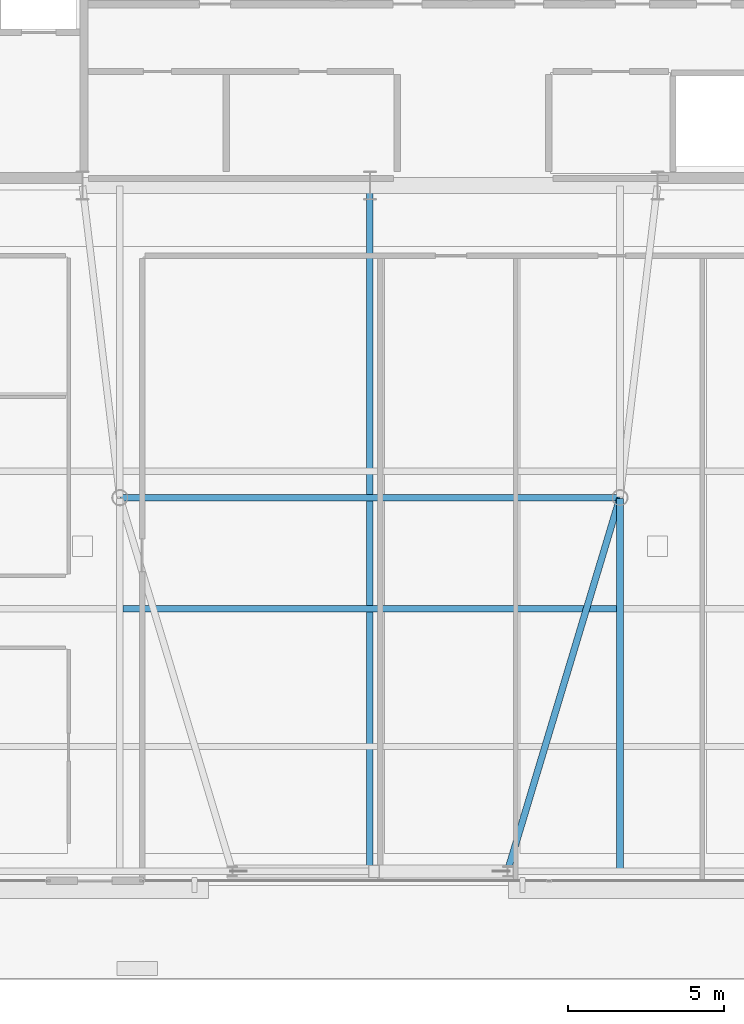
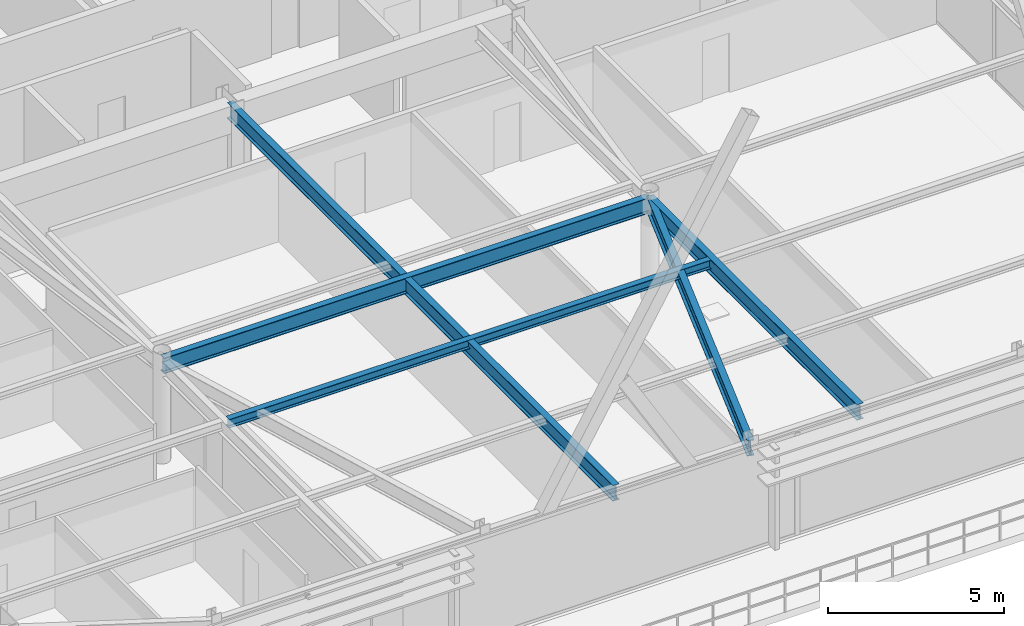
# One storey, part 8 of 25: 5 beams.
"""IFC4 building model written with IfcOpenShell, lengths in metres."""

import ifcopenshell
import ifcopenshell.guid

model = None  # the IFC model being written
_history = None  # IfcOwnerHistory: only IFC2X3 demands one
_inside = {}  # id of a spatial element -> (the spatial element, [elements in it])
_under = {}  # id of a project, library or spatial element -> (it, [spatial elements below it])
_declared = {}  # id of a project -> (the project, [libraries it declares])
_typed = {}  # id of a type object -> (the type object, [elements of that type])
_made_of = {}  # id of a material, layer set ... -> (it, [elements and type objects made of it])


def new_model(schema):
    """Start an empty IFC model of exactly this schema.

    Asked for "IFC4X3", IfcOpenShell would pick the latest addendum, in which some entities
    have other attributes; the version numbers below select the first issue.
    IFC2X3 requires an IfcOwnerHistory on every rooted entity: one is made here for all.
    """
    global model, _history
    if schema == "IFC4X3":
        model = ifcopenshell.file(schema_version=(4, 3, 0, 0))
    else:
        model = ifcopenshell.file(schema=schema)
    _inside.clear()
    _under.clear()
    _declared.clear()
    _typed.clear()
    _made_of.clear()
    _history = None
    if model.schema == "IFC2X3":
        org = make("IfcOrganization", Name="unknown")
        user = make(
            "IfcPersonAndOrganization",
            ThePerson=make("IfcPerson", FamilyName="unknown"),
            TheOrganization=org,
        )
        app = make(
            "IfcApplication",
            ApplicationDeveloper=org,
            Version="unknown",
            ApplicationFullName="unknown",
            ApplicationIdentifier="unknown",
        )
        _history = make(
            "IfcOwnerHistory",
            OwningUser=user,
            OwningApplication=app,
            ChangeAction="ADDED",
            CreationDate=0,
        )
    return model


def make(cls, **values):
    """One entity of the class cls with the attributes given. An attribute that is None is left unset."""
    return model.create_entity(
        cls, **{name: value for name, value in values.items() if value is not None}
    )


def rooted(cls, **values):
    """An entity with a GlobalId (a new one), such as an element, a storey or a relation."""
    return make(cls, GlobalId=ifcopenshell.guid.new(), OwnerHistory=_history, **values)


def si_unit(unit_type, name, prefix=None):
    """IfcSIUnit, for example si_unit("LENGTHUNIT", "METRE", prefix="MILLI")."""
    return make("IfcSIUnit", UnitType=unit_type, Prefix=prefix, Name=name)


def assignment(units):
    """IfcUnitAssignment: the units of a project."""
    return None if units is None else make("IfcUnitAssignment", Units=units)


def point(xyz):
    """IfcCartesianPoint."""
    return None if xyz is None else make("IfcCartesianPoint", Coordinates=xyz)


def direction(xyz):
    """IfcDirection."""
    return None if xyz is None else make("IfcDirection", DirectionRatios=xyz)


def frame(location, z_axis=None, x_axis=None):
    """IfcAxis2Placement3D, a coordinate frame: its origin and axes. An axis left out is left unset."""
    return make(
        "IfcAxis2Placement3D",
        Location=point(location),
        Axis=direction(z_axis),
        RefDirection=direction(x_axis),
    )


def frame_2d(location, x_axis=None):
    """IfcAxis2Placement2D, a coordinate frame in the plane: its origin and x axis."""
    return make(
        "IfcAxis2Placement2D", Location=point(location), RefDirection=direction(x_axis)
    )


def origin():
    """The frame at (0, 0, 0) with its axes left unset."""
    return frame((0.0, 0.0, 0.0))


def origin_2d():
    """The frame at (0, 0) in the plane with its x axis left unset."""
    return frame_2d((0.0, 0.0))


def place(relative_to, where):
    """IfcLocalPlacement: puts the frame where relative to a parent placement (None: the world)."""
    return make(
        "IfcLocalPlacement", PlacementRelTo=relative_to, RelativePlacement=where
    )


def context(
    kind, dimensions, precision=None, world=None, true_north=None, identifier=None
):
    """IfcGeometricRepresentationContext, for example the 3D "Model" context."""
    return make(
        "IfcGeometricRepresentationContext",
        ContextIdentifier=identifier,
        ContextType=kind,
        CoordinateSpaceDimension=dimensions,
        Precision=precision,
        WorldCoordinateSystem=world,
        TrueNorth=true_north,
    )


def subcontext(parent, identifier, kind, view, scale=None):
    """IfcGeometricRepresentationSubContext, for example "Body" below "Model"."""
    return make(
        "IfcGeometricRepresentationSubContext",
        ContextIdentifier=identifier,
        ContextType=kind,
        ParentContext=parent,
        TargetScale=scale,
        TargetView=view,
    )


def project(units=None, contexts=None):
    """IfcProject with its units and contexts."""
    return rooted(
        "IfcProject",
        Name="project",
        RepresentationContexts=contexts,
        UnitsInContext=assignment(units),
    )


def spatial(cls, under=None, at=None, **own):
    """A site, building, storey or space (cls), placed at a placement, below another one or the project."""
    s = rooted(cls, ObjectPlacement=at, **own)
    if under is not None:
        _under.setdefault(under.id(), (under, []))[1].append(s)
    return s


def profile(cls, at=None, kind="AREA", **sizes):
    """A parametric profile (cls). Its sizes go by their IFC names, for example OverallWidth=200.0."""
    return make(cls, ProfileType=kind, Position=at, **sizes)


def i_section(**sizes):
    """IfcIShapeProfileDef."""
    return profile("IfcIShapeProfileDef", **sizes)


def extrude(swept, where, along, depth):
    """IfcExtrudedAreaSolid: the profile swept, set in the frame where, extruded along a direction by depth."""
    return make(
        "IfcExtrudedAreaSolid",
        SweptArea=swept,
        Position=where,
        ExtrudedDirection=direction(along),
        Depth=depth,
    )


def shape(context_of_items, identifier, shape_type, items):
    """IfcShapeRepresentation: the items that make up one representation, for example the "Body"."""
    return make(
        "IfcShapeRepresentation",
        ContextOfItems=context_of_items,
        RepresentationIdentifier=identifier,
        RepresentationType=shape_type,
        Items=items,
    )


def source(mapping_origin, context_of_items, identifier, shape_type, items):
    """IfcRepresentationMap: a shape defined once, which mapped items show again and again."""
    return make(
        "IfcRepresentationMap",
        MappingOrigin=mapping_origin,
        MappedRepresentation=shape(context_of_items, identifier, shape_type, items),
    )


def transform(
    local_origin,
    x_axis=None,
    y_axis=None,
    z_axis=None,
    scale=None,
    scale2=None,
    scale3=None,
    uniform=True,
):
    """IfcCartesianTransformationOperator3D, or its non-uniform kind. x_axis, y_axis, z_axis: its Axis1, 2, 3."""
    if uniform:
        return make(
            "IfcCartesianTransformationOperator3D",
            Axis1=direction(x_axis),
            Axis2=direction(y_axis),
            LocalOrigin=point(local_origin),
            Scale=scale,
            Axis3=direction(z_axis),
        )
    return make(
        "IfcCartesianTransformationOperator3DnonUniform",
        Axis1=direction(x_axis),
        Axis2=direction(y_axis),
        LocalOrigin=point(local_origin),
        Scale=scale,
        Axis3=direction(z_axis),
        Scale2=scale2,
        Scale3=scale3,
    )


def mapped(mapping_source, mapping_target):
    """IfcMappedItem: shows the shape of a source again, moved by a transform."""
    return make(
        "IfcMappedItem", MappingSource=mapping_source, MappingTarget=mapping_target
    )


def material(Name=None, Category=None):
    """IfcMaterial."""
    return make("IfcMaterial", Name=Name, Category=Category)


def material_profile(
    of_material, cross_section, Name=None, Category=None, Priority=None
):
    """IfcMaterialProfile: a cross section and its material."""
    return make(
        "IfcMaterialProfile",
        Name=Name,
        Material=of_material,
        Profile=cross_section,
        Priority=Priority,
        Category=Category,
    )


def profile_set(profiles, Name=None, composite=None):
    """IfcMaterialProfileSet."""
    return make(
        "IfcMaterialProfileSet",
        Name=Name,
        MaterialProfiles=profiles,
        CompositeProfile=composite,
    )


def made_of(thing, what):
    """Note that an element or type object is made of a material, layer set ...; save() writes the relation."""
    if what is not None:
        _made_of.setdefault(what.id(), (what, []))[1].append(thing)
    return thing


def type_object(cls, material=None, **own):
    """A type object (cls), such as IfcWallType, which elements share."""
    return made_of(rooted(cls, **own), material)


def type_shapes(of_type, sources):
    """Give a type object the sources (RepresentationMaps) that its elements show as mapped items."""
    of_type.RepresentationMaps = sources


def element(
    cls,
    number,
    at=None,
    inside=None,
    cuts=None,
    type_object=None,
    material=None,
    context=None,
    identifier="Body",
    shape_type=None,
    held_by="IfcProductDefinitionShape",
    body=None,
    shapes=None,
    **own,
):
    """One element of the class cls, such as IfcWall. Its Tag is "e" and its number.

    at: its placement. inside: the storey or other place that contains it. cuts: it is an
    opening in that element (IfcRelVoidsElement). A single representation is given by context,
    identifier, shape_type and body (its items); several are given by shapes. held_by: the class
    of the entity that holds the representations. save() writes the other relations.
    """
    e = rooted(cls, Tag="e%d" % number, ObjectPlacement=at, **own)
    if body is not None:
        shapes = [shape(context, identifier, shape_type, body)]
    if shapes is not None:
        e.Representation = make(held_by, Representations=shapes)
    if inside is not None:
        _inside.setdefault(inside.id(), (inside, []))[1].append(e)
    if cuts is not None:
        rooted(
            "IfcRelVoidsElement", RelatingBuildingElement=cuts, RelatedOpeningElement=e
        )
    if type_object is not None:
        _typed.setdefault(type_object.id(), (type_object, []))[1].append(e)
    return made_of(e, material)


def aggregate(whole, parts):
    """IfcRelAggregates: a whole, such as a stair, and the parts it consists of."""
    return rooted("IfcRelAggregates", RelatingObject=whole, RelatedObjects=parts)


def save(model, path):
    """Write the relations noted so far, then the file.

    IfcRelAggregates (storeys below a building ...), IfcRelContainedInSpatialStructure (elements
    in a storey), IfcRelDefinesByType, IfcRelAssociatesMaterial and IfcRelDeclares: one each for
    every whole, place, type object, material and project.
    """
    for whole, parts in _under.values():
        aggregate(whole, parts)
    for where, things in _inside.values():
        rooted(
            "IfcRelContainedInSpatialStructure",
            RelatedElements=things,
            RelatingStructure=where,
        )
    for kind, things in _typed.values():
        rooted("IfcRelDefinesByType", RelatedObjects=things, RelatingType=kind)
    for what, things in _made_of.values():
        rooted("IfcRelAssociatesMaterial", RelatedObjects=things, RelatingMaterial=what)
    for by, libraries in _declared.values():
        rooted("IfcRelDeclares", RelatingContext=by, RelatedDefinitions=libraries)
    model.write(path)


model = new_model("IFC4")

# Units and contexts
model_context = context("Model", 3, precision=1e-05, world=origin(), true_north=direction((0.0, 1.0)))
body_context = subcontext(model_context, "Body", "Model", "MODEL_VIEW")
ifc_project = project(units=[si_unit("LENGTHUNIT", "METRE"), si_unit("AREAUNIT", "SQUARE_METRE"), si_unit("VOLUMEUNIT", "CUBIC_METRE"), si_unit("PLANEANGLEUNIT", "RADIAN"), si_unit("MASSUNIT", "GRAM", prefix="KILO")], contexts=[model_context])

# Site, building, storey
site_placement = place(None, origin())
site = spatial("IfcSite", under=ifc_project, at=site_placement, CompositionType="ELEMENT")
building_placement = place(site_placement, origin())
building = spatial("IfcBuilding", under=site, at=building_placement, Name="Varnel Quay Broadcast Tower", CompositionType="ELEMENT")
storey_placement = place(building_placement, frame((0.0, 0.0, 258.39990234375)))
storey = spatial("IfcBuildingStorey", under=building, at=storey_placement, Name="L64", CompositionType="ELEMENT", Elevation=258.39990234375)

# Beams
ifc_material = material(Name="Structural Steel CSA G40.21 350W", Category="steel")
ifc_material_profile_1 = material_profile(ifc_material, i_section(OverallWidth=0.2119140625, OverallDepth=0.5439453125, WebThickness=0.01318359375, FlangeThickness=0.021240234375, FilletRadius=0.013916015625, at=origin_2d()), Name="W530X123")
ifc_profile_set_1 = profile_set([ifc_material_profile_1], Name="Structural Steel CSA G40.21 350W")
beam_type_1 = type_object("IfcBeamType", Name="Girder_W530X123", PredefinedType="BEAM", material=ifc_profile_set_1)
shared_shape_1 = source(origin(), body_context, "Body", "SweptSolid", [
    extrude(i_section(OverallWidth=0.2119140625, OverallDepth=0.5439453125, WebThickness=0.01318359375, FlangeThickness=0.021240234375, FilletRadius=0.013916015625, at=origin_2d()), origin(), (0.0, 0.0, 1.0), 12.449951171875),
])
beam_1_placement = place(storey_placement, frame((38.40576171875, 13.669189453125, 3.278076171875), z_axis=(0.28822390679, 0.957563042078, 0.0), x_axis=(-0.957563042078, 0.28822390679, 0.0)))
element("IfcBeam", 1, at=beam_1_placement, inside=storey, type_object=beam_type_1, Name="L64 Primary Girder TC-S3-IC-02", PredefinedType="BEAM", context=body_context, shape_type="MappedRepresentation", body=[
    mapped(shared_shape_1, transform((0.0, 0.0, 0.0), x_axis=(1.0, 0.0, 0.0), y_axis=(0.0, 1.0, 0.0), z_axis=(0.0, 0.0, 1.0), scale=1.0)),
])
shared_shape_2 = source(origin(), body_context, "Body", "SweptSolid", [
    extrude(i_section(OverallWidth=0.2119140625, OverallDepth=0.5439453125, WebThickness=0.01318359375, FlangeThickness=0.021240234375, FilletRadius=0.013916015625, at=origin_2d()), origin(), (0.0, 0.0, 1.0), 15.9599609375),
])
beam_2_placement = place(storey_placement, frame((26.02001953125, 25.610107421875, 3.278076171875), z_axis=(1.0, 0.0, 0.0), x_axis=(0.0, 1.0, 0.0)))
element("IfcBeam", 2, at=beam_2_placement, inside=storey, type_object=beam_type_1, Name="L64 Interior Spine Girder", PredefinedType="BEAM", context=body_context, shape_type="MappedRepresentation", body=[
    mapped(shared_shape_2, transform((0.0, 0.0, 0.0), x_axis=(1.0, 0.0, 0.0), y_axis=(0.0, 1.0, 0.0), z_axis=(0.0, 0.0, 1.0), scale=1.0)),
])
shared_shape_3 = source(origin(), body_context, "Body", "SweptSolid", [
    extrude(i_section(OverallWidth=0.2119140625, OverallDepth=0.5439453125, WebThickness=0.01318359375, FlangeThickness=0.021240234375, FilletRadius=0.013916015625, at=origin_2d()), origin(), (0.0, 0.0, 1.0), 21.91015625),
])
beam_3_placement = place(storey_placement, frame((34.0, 13.669921875, 3.278076171875), z_axis=(0.0, 1.0, 0.0), x_axis=(-1.0, 0.0, 0.0)))
element("IfcBeam", 3, at=beam_3_placement, inside=storey, type_object=beam_type_1, Name="L64 Central Bay Girder", PredefinedType="BEAM", context=body_context, shape_type="MappedRepresentation", body=[
    mapped(shared_shape_3, transform((0.0, 0.0, 0.0), x_axis=(1.0, 0.0, 0.0), y_axis=(0.0, 1.0, 0.0), z_axis=(0.0, 0.0, 1.0), scale=1.0)),
])
shared_shape_4 = source(origin(), body_context, "Body", "SweptSolid", [
    extrude(i_section(OverallWidth=0.2119140625, OverallDepth=0.5439453125, WebThickness=0.01318359375, FlangeThickness=0.021240234375, FilletRadius=0.013916015625, at=origin_2d()), origin(), (0.0, 0.0, 1.0), 11.920166015625),
])
type_shapes(beam_type_1, [shared_shape_1, shared_shape_2, shared_shape_3, shared_shape_4])
beam_4_placement = place(storey_placement, frame((42.0, 13.669921875, 3.278076171875), z_axis=(0.0, 1.0, 0.0), x_axis=(-1.0, 0.0, 0.0)))
element("IfcBeam", 4, at=beam_4_placement, inside=storey, type_object=beam_type_1, Name="L64 N-S Joist Header IC-02S", PredefinedType="BEAM", context=body_context, shape_type="MappedRepresentation", body=[
    mapped(shared_shape_4, transform((0.0, 0.0, 0.0), x_axis=(1.0, 0.0, 0.0), y_axis=(0.0, 1.0, 0.0), z_axis=(0.0, 0.0, 1.0), scale=1.0)),
])
ifc_material_profile_2 = material_profile(ifc_material, i_section(OverallWidth=0.202880859375, OverallDepth=0.302978515625, WebThickness=0.007568359375, FlangeThickness=0.01318359375, FilletRadius=0.011962890625, at=origin_2d()), Name="W310X60")
ifc_profile_set_2 = profile_set([ifc_material_profile_2], Name="Structural Steel CSA G40.21 350W")
beam_type_2 = type_object("IfcBeamType", Name="Beam_W310X60", PredefinedType="JOIST", material=ifc_profile_set_2)
shared_shape_5 = source(origin(), body_context, "Body", "SweptSolid", [
    extrude(i_section(OverallWidth=0.202880859375, OverallDepth=0.302978515625, WebThickness=0.007568359375, FlangeThickness=0.01318359375, FilletRadius=0.011962890625, at=origin_2d()), origin(), (0.0, 0.0, 1.0), 15.7978515625),
])
type_shapes(beam_type_2, [shared_shape_5])
beam_5_placement = place(storey_placement, frame((26.10107421875, 22.050048828125, 3.398681640625), z_axis=(1.0, 0.0, 0.0), x_axis=(0.0, 1.0, 0.0)))
element("IfcBeam", 5, at=beam_5_placement, inside=storey, type_object=beam_type_2, Name="L64 Central Floor Joist 2", PredefinedType="JOIST", context=body_context, shape_type="MappedRepresentation", body=[
    mapped(shared_shape_5, transform((0.0, 0.0, 0.0), x_axis=(1.0, 0.0, 0.0), y_axis=(0.0, 1.0, 0.0), z_axis=(0.0, 0.0, 1.0), scale=1.0)),
])

save(model, "model.ifc")
